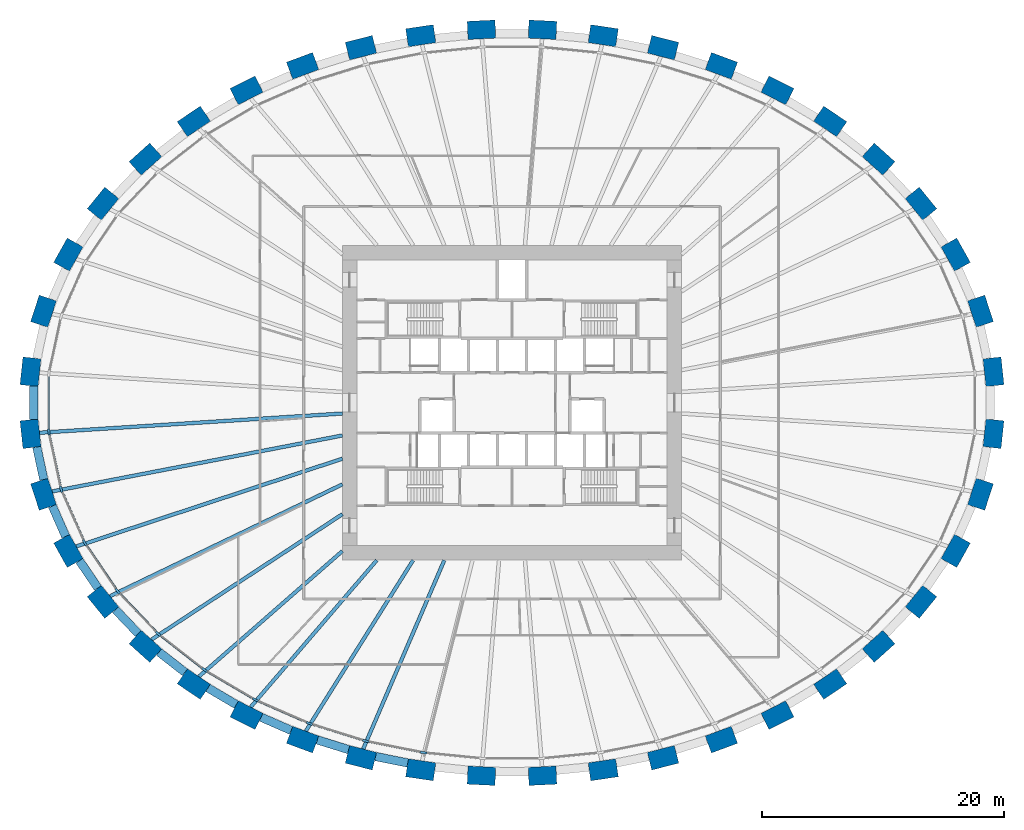
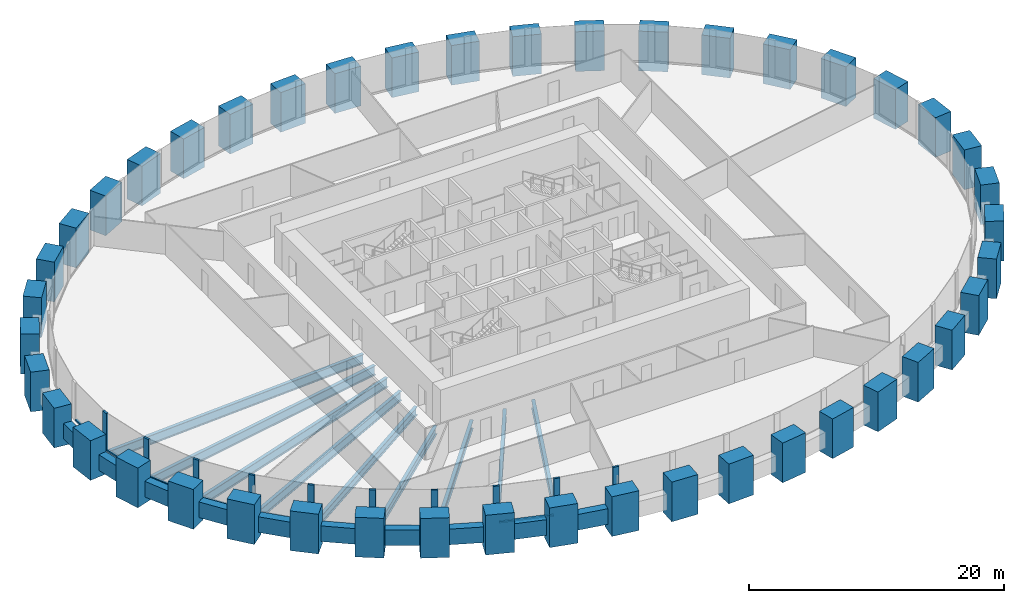
# One storey, part 1 of 10: 44 columns, 20 members, 19 beams, 1 element without a shape of its own.
"""IFC4 building model written with IfcOpenShell, lengths in metres."""

from ifc_helpers import new_model, si_unit, direction, frame, origin, origin_2d, place, context, subcontext, project, spatial, rectangle, i_section, extrude, source, transform, mapped, material, material_profile, profile_set, type_object, element, aggregate, save


model = new_model("IFC4")

# Units and contexts
model_context = context("Model", 3, precision=1e-05, world=origin(), true_north=direction((0.0, 1.0)))
body_context = subcontext(model_context, "Body", "Model", "MODEL_VIEW")
ifc_project = project(units=[si_unit("LENGTHUNIT", "METRE"), si_unit("AREAUNIT", "SQUARE_METRE"), si_unit("VOLUMEUNIT", "CUBIC_METRE"), si_unit("PLANEANGLEUNIT", "RADIAN"), si_unit("MASSUNIT", "GRAM", prefix="KILO")], contexts=[model_context])

# Site, building, storey
site_placement = place(None, origin())
site = spatial("IfcSite", under=ifc_project, at=site_placement, CompositionType="ELEMENT")
building_placement = place(site_placement, origin())
building = spatial("IfcBuilding", under=site, at=building_placement, Name="Embergate Tower", CompositionType="ELEMENT")
storey_placement = place(building_placement, frame((0.0, 0.0, 121.10009765625)))
storey = spatial("IfcBuildingStorey", under=building, at=storey_placement, Name="L26", CompositionType="ELEMENT", Elevation=121.10009765625)

# Columns
ifc_material_1 = material(Name="Concrete C70", Category="concrete")
ifc_material_profile_1 = material_profile(ifc_material_1, rectangle(XDim=1.5, YDim=2.300048828125, at=origin_2d()), Name="RC 1500x2300")
ifc_profile_set_1 = profile_set([ifc_material_profile_1], Name="Concrete C70")
column_type = type_object("IfcColumnType", Name="Ring column RC 1500x2300 C70", PredefinedType="COLUMN", material=ifc_profile_set_1)
shared_shape_1 = source(origin(), body_context, "Body", "SweptSolid", [
    extrude(rectangle(XDim=1.5, YDim=2.300048828125, at=origin_2d()), origin(), (0.0, 0.0, 1.0), 3.800048828125),
])
for number, where, z_axis, x_axis, name in (
    (1, (39.743896484375, 2.556884765625, -1.400146484375), (0.0, 0.0, 1.0), (0.99428589498, 0.106749983816, 0.0), "COL-L26-00"),
    (2, (38.6689453125, 7.553955078125, -1.400146484375), (0.0, 0.0, 1.0), (0.950754033697, 0.309946394413, 0.0), "COL-L26-01"),
    (3, (36.6201171875, 12.22607421875, -1.400146484375), (0.0, 0.0, 1.0), (0.873500465855, 0.486823311018, 0.0), "COL-L26-02"),
    (4, (33.759033203125, 16.43408203125, -1.400146484375), (0.0, 0.0, 1.0), (0.775925311702, 0.630824786022, 0.0), "COL-L26-03"),
    (5, (30.257080078125, 20.10693359375, -1.400146484375), (0.0, 0.0, 1.0), (0.669208424634, 0.74307475021, 0.0), "COL-L26-04"),
    (6, (26.264892578125, 23.222900390625, -1.400146484375), (0.0, 0.0, 1.0), (0.560393279442, 0.828226643109, 0.0), "COL-L26-05"),
    (7, (21.907958984375, 25.784912109375, -1.400146484375), (0.0, 0.0, 1.0), (0.453010512651, 0.891505174089, 0.0), "COL-L26-06"),
    (8, (17.282958984375, 27.806884765625, -1.400146484375), (0.0, 0.0, 1.0), (0.348343015724, 0.93736713373, 0.0), "COL-L26-07"),
    (9, (12.469970703125, 29.305908203125, -1.400146484375), (0.0, 0.0, 1.0), (0.24650851817, 0.969140624713, 0.0), "COL-L26-08"),
    (10, (7.530029296875, 30.297119140625, -1.400146484375), (0.0, 0.0, 1.0), (0.146929011949, 0.989147039346, 0.0), "COL-L26-09"),
    (11, (2.51806640625, 30.7900390625, -1.400146484375), (0.0, 0.0, 1.0), (0.048814904854, 0.998807841912, 0.0), "COL-L26-10"),
    (12, (-2.51806640625, 30.7900390625, -1.400146484375), (0.0, 0.0, 1.0), (-0.048814904854, 0.998807841912, 0.0), "COL-L26-11"),
    (13, (-7.530029296875, 30.297119140625, -1.400146484375), (0.0, 0.0, 1.0), (-0.146929011949, 0.989147039346, 0.0), "COL-L26-12"),
    (14, (-12.469970703125, 29.305908203125, -1.400146484375), (0.0, 0.0, 1.0), (-0.24650851817, 0.969140624713, 0.0), "COL-L26-13"),
    (15, (-17.282958984375, 27.806884765625, -1.400146484375), (0.0, 0.0, 1.0), (-0.348343015724, 0.93736713373, 0.0), "COL-L26-14"),
    (16, (-21.907958984375, 25.784912109375, -1.400146484375), (0.0, 0.0, 1.0), (-0.453010512651, 0.891505174089, 0.0), "COL-L26-15"),
    (17, (-26.264892578125, 23.222900390625, -1.400146484375), (0.0, 0.0, 1.0), (-0.560393279442, 0.828226643109, 0.0), "COL-L26-16"),
    (18, (-30.257080078125, 20.10693359375, -1.400146484375), (0.0, 0.0, 1.0), (-0.669208424634, 0.74307475021, 0.0), "COL-L26-17"),
    (19, (-33.759033203125, 16.43408203125, -1.400146484375), (0.0, 0.0, 1.0), (-0.775925311702, 0.630824786022, 0.0), "COL-L26-18"),
    (20, (-36.6201171875, 12.22607421875, -1.400146484375), (0.0, 0.0, 1.0), (-0.873500465855, 0.486823311018, 0.0), "COL-L26-19"),
    (21, (-38.6689453125, 7.553955078125, -1.400146484375), (0.0, 0.0, 1.0), (-0.950754033697, 0.309946394413, 0.0), "COL-L26-20"),
    (22, (-39.743896484375, 2.556884765625, -1.400146484375), (0.0, 0.0, 1.0), (-0.99428589498, 0.106749983816, 0.0), "COL-L26-21"),
    (23, (-39.743896484375, -2.556884765625, -1.400146484375), (0.0, 0.0, 1.0), (-0.99428589498, -0.106749983816, 0.0), "COL-L26-22"),
    (24, (-38.6689453125, -7.553955078125, -1.400146484375), (0.0, 0.0, 1.0), (-0.950754033697, -0.309946394413, 0.0), "COL-L26-23"),
    (25, (-36.6201171875, -12.22607421875, -1.400146484375), (0.0, 0.0, 1.0), (-0.873500465855, -0.486823311018, 0.0), "COL-L26-24"),
    (26, (-33.759033203125, -16.43408203125, -1.400146484375), (0.0, 0.0, 1.0), (-0.775925311702, -0.630824786022, 0.0), "COL-L26-25"),
    (27, (-30.257080078125, -20.10693359375, -1.400146484375), (0.0, 0.0, 1.0), (-0.669208424634, -0.74307475021, 0.0), "COL-L26-26"),
    (28, (-26.264892578125, -23.222900390625, -1.400146484375), (0.0, 0.0, 1.0), (-0.560393279442, -0.828226643109, 0.0), "COL-L26-27"),
    (29, (-21.907958984375, -25.784912109375, -1.400146484375), (0.0, 0.0, 1.0), (-0.453010512651, -0.891505174089, 0.0), "COL-L26-28"),
    (30, (-17.282958984375, -27.806884765625, -1.400146484375), (0.0, 0.0, 1.0), (-0.348343015724, -0.93736713373, 0.0), "COL-L26-29"),
    (31, (-12.469970703125, -29.305908203125, -1.400146484375), (0.0, 0.0, 1.0), (-0.24650851817, -0.969140624713, 0.0), "COL-L26-30"),
    (32, (-7.530029296875, -30.297119140625, -1.400146484375), (0.0, 0.0, 1.0), (-0.146929011949, -0.989147039346, 0.0), "COL-L26-31"),
    (33, (-2.51806640625, -30.7900390625, -1.400146484375), (0.0, 0.0, 1.0), (-0.048814904854, -0.998807841912, 0.0), "COL-L26-32"),
    (34, (2.51806640625, -30.7900390625, -1.400146484375), (0.0, 0.0, 1.0), (0.048814904854, -0.998807841912, 0.0), "COL-L26-33"),
    (35, (7.530029296875, -30.297119140625, -1.400146484375), (0.0, 0.0, 1.0), (0.146929011949, -0.989147039346, 0.0), "COL-L26-34"),
    (36, (12.469970703125, -29.305908203125, -1.400146484375), (0.0, 0.0, 1.0), (0.24650851817, -0.969140624713, 0.0), "COL-L26-35"),
    (37, (17.282958984375, -27.806884765625, -1.400146484375), (0.0, 0.0, 1.0), (0.348343015724, -0.93736713373, 0.0), "COL-L26-36"),
    (38, (21.907958984375, -25.784912109375, -1.400146484375), (0.0, 0.0, 1.0), (0.453010512651, -0.891505174089, 0.0), "COL-L26-37"),
    (39, (26.264892578125, -23.222900390625, -1.400146484375), (0.0, 0.0, 1.0), (0.560393279442, -0.828226643109, 0.0), "COL-L26-38"),
    (40, (30.257080078125, -20.10693359375, -1.400146484375), (0.0, 0.0, 1.0), (0.669208424634, -0.74307475021, 0.0), "COL-L26-39"),
    (41, (33.759033203125, -16.43408203125, -1.400146484375), (0.0, 0.0, 1.0), (0.775925311702, -0.630824786022, 0.0), "COL-L26-40"),
    (42, (36.6201171875, -12.22607421875, -1.400146484375), (0.0, 0.0, 1.0), (0.873500465855, -0.486823311018, 0.0), "COL-L26-41"),
    (43, (38.6689453125, -7.553955078125, -1.400146484375), (0.0, 0.0, 1.0), (0.950754033697, -0.309946394413, 0.0), "COL-L26-42"),
    (44, (39.743896484375, -2.556884765625, -1.400146484375), (0.0, 0.0, 1.0), (0.99428589498, -0.106749983816, 0.0), "COL-L26-43"),
):
    element("IfcColumn", number, at=place(storey_placement, frame(where, z_axis=z_axis, x_axis=x_axis)), inside=storey, type_object=column_type, Name=name, PredefinedType="COLUMN", context=body_context, shape_type="MappedRepresentation", body=[
        mapped(shared_shape_1, transform((0.0, 0.0, 0.0))),
    ])

# Beams
ifc_material_profile_2 = material_profile(ifc_material_1, rectangle(XDim=0.699951171875, YDim=1.5, at=origin_2d()), Name="RC 700x1500")
ifc_profile_set_2 = profile_set([ifc_material_profile_2], Name="Concrete C70")
beam_type_1 = type_object("IfcBeamType", Name="Spandrel beam RC 700x1500 C70", PredefinedType="BEAM", material=ifc_profile_set_2)
shared_shape_2 = source(origin(), body_context, "Body", "SweptSolid", [
    extrude(rectangle(XDim=0.699951171875, YDim=1.5, at=origin_2d()), origin(), (0.0, 0.0, 1.0), 2.741455078125),
])
beam_1_placement = place(storey_placement, frame((-39.22509765625, -3.657958984375, 0.0), z_axis=(0.210532507107, -0.977586857241, 0.0), x_axis=(0.977586857241, 0.210532507107, 0.0)))
element("IfcBeam", 45, at=beam_1_placement, inside=storey, type_object=beam_type_1, Name="SPN-L26-22", PredefinedType="BEAM", context=body_context, shape_type="MappedRepresentation", body=[
    mapped(shared_shape_2, transform((0.0, 0.0, 0.0))),
])
shared_shape_3 = source(origin(), body_context, "Body", "SweptSolid", [
    extrude(rectangle(XDim=0.699951171875, YDim=1.5, at=origin_2d()), origin(), (0.0, 0.0, 1.0), 2.73779296875),
])
beam_2_placement = place(storey_placement, frame((-37.94091796875, -8.52587890625, 0.0), z_axis=(0.401740219387, -0.915753676556, 0.0), x_axis=(0.915753676556, 0.401740219387, 0.0)))
element("IfcBeam", 46, at=beam_2_placement, inside=storey, type_object=beam_type_1, Name="SPN-L26-23", PredefinedType="BEAM", context=body_context, shape_type="MappedRepresentation", body=[
    mapped(shared_shape_3, transform((0.0, 0.0, 0.0))),
])
shared_shape_4 = source(origin(), body_context, "Body", "SweptSolid", [
    extrude(rectangle(XDim=0.699951171875, YDim=1.5, at=origin_2d()), origin(), (0.0, 0.0, 1.0), 2.727294921875),
])
beam_3_placement = place(storey_placement, frame((-35.7099609375, -13.035888671875, 0.0), z_axis=(0.562422644454, -0.826849907181, 0.0), x_axis=(0.826849907181, 0.562422644454, 0.0)))
element("IfcBeam", 47, at=beam_3_placement, inside=storey, type_object=beam_type_1, Name="SPN-L26-24", PredefinedType="BEAM", context=body_context, shape_type="MappedRepresentation", body=[
    mapped(shared_shape_4, transform((0.0, 0.0, 0.0))),
])
shared_shape_5 = source(origin(), body_context, "Body", "SweptSolid", [
    extrude(rectangle(XDim=0.699951171875, YDim=1.5, at=origin_2d()), origin(), (0.0, 0.0, 1.0), 2.720947265625),
])
beam_4_placement = place(storey_placement, frame((-32.73095703125, -17.0810546875, 0.0), z_axis=(0.690174788546, -0.723642702759, 0.0), x_axis=(0.723642702759, 0.690174788546, 0.0)))
element("IfcBeam", 48, at=beam_4_placement, inside=storey, type_object=beam_type_1, Name="SPN-L26-25", PredefinedType="BEAM", context=body_context, shape_type="MappedRepresentation", body=[
    mapped(shared_shape_5, transform((0.0, 0.0, 0.0))),
])
shared_shape_6 = source(origin(), body_context, "Body", "SweptSolid", [
    extrude(rectangle(XDim=0.699951171875, YDim=1.5, at=origin_2d()), origin(), (0.0, 0.0, 1.0), 2.715087890625),
])
beam_5_placement = place(storey_placement, frame((-29.135009765625, -20.5791015625, 0.0), z_axis=(0.788183854673, -0.61543985184, 0.0), x_axis=(0.61543985184, 0.788183854673, 0.0)))
element("IfcBeam", 49, at=beam_5_placement, inside=storey, type_object=beam_type_1, Name="SPN-L26-26", PredefinedType="BEAM", context=body_context, shape_type="MappedRepresentation", body=[
    mapped(shared_shape_6, transform((0.0, 0.0, 0.0))),
])
shared_shape_7 = source(origin(), body_context, "Body", "SweptSolid", [
    extrude(rectangle(XDim=0.699951171875, YDim=1.5, at=origin_2d()), origin(), (0.0, 0.0, 1.0), 2.70947265625),
])
beam_6_placement = place(storey_placement, frame((-25.093017578125, -23.54296875, 0.0), z_axis=(0.862100939268, -0.506736588884, 0.0), x_axis=(0.506736588884, 0.862100939268, 0.0)))
element("IfcBeam", 50, at=beam_6_placement, inside=storey, type_object=beam_type_1, Name="SPN-L26-27", PredefinedType="BEAM", context=body_context, shape_type="MappedRepresentation", body=[
    mapped(shared_shape_7, transform((0.0, 0.0, 0.0))),
])
shared_shape_8 = source(origin(), body_context, "Body", "SweptSolid", [
    extrude(rectangle(XDim=0.699951171875, YDim=1.5, at=origin_2d()), origin(), (0.0, 0.0, 1.0), 2.70751953125),
])
beam_7_placement = place(storey_placement, frame((-20.7080078125, -25.9619140625, 0.0), z_axis=(0.91635176707, -0.400374123774, 0.0), x_axis=(0.400374123774, 0.91635176707, 0.0)))
element("IfcBeam", 51, at=beam_7_placement, inside=storey, type_object=beam_type_1, Name="SPN-L26-28", PredefinedType="BEAM", context=body_context, shape_type="MappedRepresentation", body=[
    mapped(shared_shape_8, transform((0.0, 0.0, 0.0))),
])
shared_shape_9 = source(origin(), body_context, "Body", "SweptSolid", [
    extrude(rectangle(XDim=0.699951171875, YDim=1.5, at=origin_2d()), origin(), (0.0, 0.0, 1.0), 2.701171875),
])
for number, where, z_axis, x_axis, name in (
    (52, (-16.06494140625, -27.8310546875, 0.0), (0.954683993788, -0.297621356768, 0.0), (0.297621356768, 0.954683993788, 0.0), "SPN-L26-29"),
    (53, (-11.257080078125, -29.202880859375, 0.0), (0.980395998514, -0.197037270836, 0.0), (0.197037270836, 0.980395998514, 0.0), "SPN-L26-30"),
):
    element("IfcBeam", number, at=place(storey_placement, frame(where, z_axis=z_axis, x_axis=x_axis)), inside=storey, type_object=beam_type_1, Name=name, PredefinedType="BEAM", context=body_context, shape_type="MappedRepresentation", body=[
        mapped(shared_shape_9, transform((0.0, 0.0, 0.0))),
    ])
shared_shape_10 = source(origin(), body_context, "Body", "SweptSolid", [
    extrude(rectangle(XDim=0.699951171875, YDim=1.5, at=origin_2d()), origin(), (0.0, 0.0, 1.0), 2.7421875),
])
beam_8_placement = place(storey_placement, frame((-39.468017578125, 1.37109375, 0.0), z_axis=(0.0, -1.0, 0.0), x_axis=(1.0, 0.0, 0.0)))
element("IfcBeam", 54, at=beam_8_placement, inside=storey, type_object=beam_type_1, Name="SPN-L26-21", PredefinedType="BEAM", context=body_context, shape_type="MappedRepresentation", body=[
    mapped(shared_shape_10, transform((0.0, 0.0, 0.0))),
])
ifc_material_2 = material(Name="Steel Q355B", Category="steel")
ifc_material_profile_3 = material_profile(ifc_material_2, i_section(OverallWidth=0.300048828125, OverallDepth=0.89990234375, WebThickness=0.01611328125, FlangeThickness=0.028076171875, FilletRadius=0.028076171875, at=origin_2d()), Name="HN 900x300x16x28")
ifc_profile_set_3 = profile_set([ifc_material_profile_3], Name="Steel Q355 grade B")
beam_type_2 = type_object("IfcBeamType", Name="Radial girder HN 900x300x16x28", PredefinedType="BEAM", material=ifc_profile_set_3)
shared_shape_11 = source(origin(), body_context, "Body", "SweptSolid", [
    extrude(i_section(OverallWidth=0.300048828125, OverallDepth=0.89990234375, WebThickness=0.01611328125, FlangeThickness=0.028076171875, FilletRadius=0.028076171875, at=origin_2d()), origin(), (0.0, 0.0, 1.0), 25.04833984375),
])
beam_9_placement = place(storey_placement, frame((-38.998046875, -2.47705078125, -0.650146484375), z_axis=(0.997988035397, 0.063402533111, 0.0), x_axis=(-0.063402533111, 0.997988035397, 0.0)))
element("IfcBeam", 55, at=beam_9_placement, inside=storey, type_object=beam_type_2, Name="GIR-L26-22", PredefinedType="BEAM", context=body_context, shape_type="MappedRepresentation", body=[
    mapped(shared_shape_11, transform((0.0, 0.0, 0.0))),
])
shared_shape_12 = source(origin(), body_context, "Body", "SweptSolid", [
    extrude(i_section(OverallWidth=0.300048828125, OverallDepth=0.89990234375, WebThickness=0.01611328125, FlangeThickness=0.028076171875, FilletRadius=0.028076171875, at=origin_2d()), origin(), (0.0, 0.0, 1.0), 24.397705078125),
])
beam_10_placement = place(storey_placement, frame((-37.9560546875, -7.322021484375, -0.650146484375), z_axis=(0.981898654656, 0.18940705368, 0.0), x_axis=(-0.18940705368, 0.981898654656, 0.0)))
element("IfcBeam", 56, at=beam_10_placement, inside=storey, type_object=beam_type_2, Name="GIR-L26-23", PredefinedType="BEAM", context=body_context, shape_type="MappedRepresentation", body=[
    mapped(shared_shape_12, transform((0.0, 0.0, 0.0))),
])
shared_shape_13 = source(origin(), body_context, "Body", "SweptSolid", [
    extrude(i_section(OverallWidth=0.300048828125, OverallDepth=0.89990234375, WebThickness=0.01611328125, FlangeThickness=0.028076171875, FilletRadius=0.028076171875, at=origin_2d()), origin(), (0.0, 0.0, 1.0), 23.12890625),
])
beam_11_placement = place(storey_placement, frame((-35.965087890625, -11.861083984375, -0.650146484375), z_axis=(0.949684454756, 0.313208295541, 0.0), x_axis=(-0.313208295541, 0.949684454756, 0.0)))
element("IfcBeam", 57, at=beam_11_placement, inside=storey, type_object=beam_type_2, Name="GIR-L26-24", PredefinedType="BEAM", context=body_context, shape_type="MappedRepresentation", body=[
    mapped(shared_shape_13, transform((0.0, 0.0, 0.0))),
])
shared_shape_14 = source(origin(), body_context, "Body", "SweptSolid", [
    extrude(i_section(OverallWidth=0.300048828125, OverallDepth=0.89990234375, WebThickness=0.01611328125, FlangeThickness=0.028076171875, FilletRadius=0.028076171875, at=origin_2d()), origin(), (0.0, 0.0, 1.0), 21.28076171875),
])
beam_12_placement = place(storey_placement, frame((-33.177001953125, -15.9609375, -0.650146484375), z_axis=(0.901140134985, 0.433527919654, 0.0), x_axis=(-0.433527919654, 0.901140134985, 0.0)))
element("IfcBeam", 58, at=beam_12_placement, inside=storey, type_object=beam_type_2, Name="GIR-L26-25", PredefinedType="BEAM", context=body_context, shape_type="MappedRepresentation", body=[
    mapped(shared_shape_14, transform((0.0, 0.0, 0.0))),
])
ifc_material_profile_4 = material_profile(ifc_material_2, i_section(OverallWidth=0.300048828125, OverallDepth=0.800048828125, WebThickness=0.013916015625, FlangeThickness=0.02587890625, FilletRadius=0.028076171875, at=origin_2d()), Name="HN 800x300x14x26")
ifc_profile_set_4 = profile_set([ifc_material_profile_4], Name="Steel Q355 grade B")
beam_type_3 = type_object("IfcBeamType", Name="Radial girder HN 800x300x14x26", PredefinedType="BEAM", material=ifc_profile_set_4)
shared_shape_15 = source(origin(), body_context, "Body", "SweptSolid", [
    extrude(i_section(OverallWidth=0.300048828125, OverallDepth=0.800048828125, WebThickness=0.013916015625, FlangeThickness=0.02587890625, FilletRadius=0.028076171875, at=origin_2d()), origin(), (0.0, 0.0, 1.0), 18.8515625),
])
beam_13_placement = place(storey_placement, frame((-29.7548828125, -19.550048828125, -0.60009765625), z_axis=(0.835733668862, 0.549134987713, 0.0), x_axis=(-0.549134987713, 0.835733668862, 0.0)))
element("IfcBeam", 59, at=beam_13_placement, inside=storey, type_object=beam_type_3, Name="GIR-L26-26", PredefinedType="BEAM", context=body_context, shape_type="MappedRepresentation", body=[
    mapped(shared_shape_15, transform((0.0, 0.0, 0.0))),
])
shared_shape_16 = source(origin(), body_context, "Body", "SweptSolid", [
    extrude(i_section(OverallWidth=0.300048828125, OverallDepth=0.800048828125, WebThickness=0.013916015625, FlangeThickness=0.02587890625, FilletRadius=0.028076171875, at=origin_2d()), origin(), (0.0, 0.0, 1.0), 15.73583984375),
])
beam_14_placement = place(storey_placement, frame((-25.844970703125, -22.60205078125, -0.60009765625), z_axis=(0.752741020376, 0.658316759807, 0.0), x_axis=(-0.658316759807, 0.752741020376, 0.0)))
element("IfcBeam", 60, at=beam_14_placement, inside=storey, type_object=beam_type_3, Name="GIR-L26-27", PredefinedType="BEAM", context=body_context, shape_type="MappedRepresentation", body=[
    mapped(shared_shape_16, transform((0.0, 0.0, 0.0))),
])
shared_shape_17 = source(origin(), body_context, "Body", "SweptSolid", [
    extrude(i_section(OverallWidth=0.300048828125, OverallDepth=0.800048828125, WebThickness=0.013916015625, FlangeThickness=0.02587890625, FilletRadius=0.028076171875, at=origin_2d()), origin(), (0.0, 0.0, 1.0), 15.969970703125),
])
beam_15_placement = place(storey_placement, frame((-21.568115234375, -25.115966796875, -0.60009765625), z_axis=(0.651474728506, 0.758670335599, 0.0), x_axis=(-0.758670335599, 0.651474728506, 0.0)))
element("IfcBeam", 61, at=beam_15_placement, inside=storey, type_object=beam_type_3, Name="GIR-L26-28", PredefinedType="BEAM", context=body_context, shape_type="MappedRepresentation", body=[
    mapped(shared_shape_17, transform((0.0, 0.0, 0.0))),
])
shared_shape_18 = source(origin(), body_context, "Body", "SweptSolid", [
    extrude(i_section(OverallWidth=0.300048828125, OverallDepth=0.800048828125, WebThickness=0.013916015625, FlangeThickness=0.02587890625, FilletRadius=0.028076171875, at=origin_2d()), origin(), (0.0, 0.0, 1.0), 16.65478515625),
])
beam_16_placement = place(storey_placement, frame((-17.02197265625, -27.10400390625, -0.60009765625), z_axis=(0.531850282952, 0.846838400478, 0.0), x_axis=(-0.846838400478, 0.531850282952, 0.0)))
element("IfcBeam", 62, at=beam_16_placement, inside=storey, type_object=beam_type_3, Name="GIR-L26-29", PredefinedType="BEAM", context=body_context, shape_type="MappedRepresentation", body=[
    mapped(shared_shape_18, transform((0.0, 0.0, 0.0))),
])
shared_shape_19 = source(origin(), body_context, "Body", "SweptSolid", [
    extrude(i_section(OverallWidth=0.300048828125, OverallDepth=0.800048828125, WebThickness=0.013916015625, FlangeThickness=0.02587890625, FilletRadius=0.028076171875, at=origin_2d()), origin(), (0.0, 0.0, 1.0), 16.95751953125),
])
beam_17_placement = place(storey_placement, frame((-12.284912109375, -28.5791015625, -0.60009765625), z_axis=(0.394928600028, 0.918711816012, 0.0), x_axis=(-0.918711816012, 0.394928600028, 0.0)))
element("IfcBeam", 63, at=beam_17_placement, inside=storey, type_object=beam_type_3, Name="GIR-L26-30", PredefinedType="BEAM", context=body_context, shape_type="MappedRepresentation", body=[
    mapped(shared_shape_19, transform((0.0, 0.0, 0.0))),
])

# Curtain wall, members
ifc_material_3 = material(Name="Aluminium and glass", Category="aluminium")
curtain_wall_type = type_object("IfcCurtainWallType", Name="Recessed office glazing", PredefinedType="NOTDEFINED", material=ifc_material_3)
curtain_wall_placement = place(storey_placement, origin())
curtain_wall = element("IfcCurtainWall", 64, at=curtain_wall_placement, inside=storey, type_object=curtain_wall_type, Name="Recessed office glazing ring", ObjectType="RECESSED OFFICE GLAZING", PredefinedType="USERDEFINED")
ifc_material_4 = material(Name="Aluminium, thermally broken", Category="aluminium")
ifc_material_profile_5 = material_profile(ifc_material_4, rectangle(XDim=0.179931640625, YDim=0.52001953125, at=origin_2d()), Name="AL 520x180")
ifc_profile_set_5 = profile_set([ifc_material_profile_5], Name="Aluminium, thermally broken")
member_type_1 = type_object("IfcMemberType", Name="Office mullion", PredefinedType="MULLION", material=ifc_profile_set_5)
shared_shape_20 = source(origin(), body_context, "Body", "SweptSolid", [
    extrude(rectangle(XDim=0.179931640625, YDim=0.52001953125, at=origin_2d()), origin(), (0.0, 0.0, 1.0), 3.599853515625),
])
member_1_placement = place(storey_placement, frame((-38.228759765625, -2.41162109375, 0.0), z_axis=(0.0, 0.0, 1.0), x_axis=(0.994385139431, 0.105821521816, 0.0)))
member_1 = element("IfcMember", 65, at=member_1_placement, type_object=member_type_1, Name="CW mullion 23", PredefinedType="MULLION", context=body_context, shape_type="MappedRepresentation", body=[
    mapped(shared_shape_20, transform((0.0, 0.0, 0.0))),
])
member_2_placement = place(storey_placement, frame((-37.21337890625, -7.129150390625, 0.0), z_axis=(0.0, 0.0, 1.0), x_axis=(0.951498871907, 0.307652233471, 0.0)))
member_2 = element("IfcMember", 66, at=member_2_placement, type_object=member_type_1, Name="CW mullion 24", PredefinedType="MULLION", context=body_context, shape_type="MappedRepresentation", body=[
    mapped(shared_shape_20, transform((0.0, 0.0, 0.0))),
])
member_3_placement = place(storey_placement, frame((-35.2724609375, -11.5546875, 0.0), z_axis=(0.0, 0.0, 1.0), x_axis=(0.875003585723, 0.484116437412, 0.0)))
member_3 = element("IfcMember", 67, at=member_3_placement, type_object=member_type_1, Name="CW mullion 25", PredefinedType="MULLION", context=body_context, shape_type="MappedRepresentation", body=[
    mapped(shared_shape_20, transform((0.0, 0.0, 0.0))),
])
member_4_placement = place(storey_placement, frame((-32.5498046875, -15.558349609375, 0.0), z_axis=(0.0, 0.0, 1.0), x_axis=(0.777874757957, 0.628419335264, 0.0)))
member_4 = element("IfcMember", 68, at=member_4_placement, type_object=member_type_1, Name="CW mullion 26", PredefinedType="MULLION", context=body_context, shape_type="MappedRepresentation", body=[
    mapped(shared_shape_20, transform((0.0, 0.0, 0.0))),
])
member_5_placement = place(storey_placement, frame((-29.202392578125, -19.068359375, 0.0), z_axis=(0.0, 0.0, 1.0), x_axis=(0.671227827685, 0.741251106806, 0.0)))
member_5 = element("IfcMember", 69, at=member_5_placement, type_object=member_type_1, Name="CW mullion 27", PredefinedType="MULLION", context=body_context, shape_type="MappedRepresentation", body=[
    mapped(shared_shape_20, transform((0.0, 0.0, 0.0))),
])
member_6_placement = place(storey_placement, frame((-25.373046875, -22.05712890625, 0.0), z_axis=(0.0, 0.0, 1.0), x_axis=(0.562217618544, 0.826989328467, 0.0)))
member_6 = element("IfcMember", 70, at=member_6_placement, type_object=member_type_1, Name="CW mullion 28", PredefinedType="MULLION", context=body_context, shape_type="MappedRepresentation", body=[
    mapped(shared_shape_20, transform((0.0, 0.0, 0.0))),
])
member_7_placement = place(storey_placement, frame((-21.18017578125, -24.522216796875, 0.0), z_axis=(0.0, 0.0, 1.0), x_axis=(0.454511380526, 0.890740930334, 0.0)))
member_7 = element("IfcMember", 71, at=member_7_placement, type_object=member_type_1, Name="CW mullion 29", PredefinedType="MULLION", context=body_context, shape_type="MappedRepresentation", body=[
    mapped(shared_shape_20, transform((0.0, 0.0, 0.0))),
])
member_8_placement = place(storey_placement, frame((-16.719482421875, -26.47265625, 0.0), z_axis=(0.0, 0.0, 1.0), x_axis=(0.349502682851, 0.936935363128, 0.0)))
member_8 = element("IfcMember", 72, at=member_8_placement, type_object=member_type_1, Name="CW mullion 30", PredefinedType="MULLION", context=body_context, shape_type="MappedRepresentation", body=[
    mapped(shared_shape_20, transform((0.0, 0.0, 0.0))),
])
member_9_placement = place(storey_placement, frame((-12.068359375, -27.921142578125, 0.0), z_axis=(0.0, 0.0, 1.0), x_axis=(0.24731188137, 0.968935928394, 0.0)))
member_9 = element("IfcMember", 73, at=member_9_placement, type_object=member_type_1, Name="CW mullion 31", PredefinedType="MULLION", context=body_context, shape_type="MappedRepresentation", body=[
    mapped(shared_shape_20, transform((0.0, 0.0, 0.0))),
])
member_10_placement = place(storey_placement, frame((-7.28955078125, -28.879638671875, 0.0), z_axis=(0.0, 0.0, 1.0), x_axis=(0.147412382818, 0.989075118174, 0.0)))
member_10 = element("IfcMember", 74, at=member_10_placement, type_object=member_type_1, Name="CW mullion 32", PredefinedType="MULLION", context=body_context, shape_type="MappedRepresentation", body=[
    mapped(shared_shape_20, transform((0.0, 0.0, 0.0))),
])
ifc_material_profile_6 = material_profile(ifc_material_4, rectangle(XDim=0.179931640625, YDim=0.14990234375, at=origin_2d()), Name="AL 150x180")
ifc_profile_set_6 = profile_set([ifc_material_profile_6], Name="Aluminium, thermally broken")
member_type_2 = type_object("IfcMemberType", Name="Office sill transom", PredefinedType="USERDEFINED", material=ifc_profile_set_6)
shared_shape_21 = source(origin(), body_context, "Body", "SweptSolid", [
    extrude(rectangle(XDim=0.179931640625, YDim=0.14990234375, at=origin_2d()), origin(), (0.0, 0.0, 1.0), 4.305908203125),
])
member_11_placement = place(storey_placement, frame((-38.174072265625, -2.66552734375, 0.074951171875), z_axis=(0.210357665869, -0.977624494584, 0.0), x_axis=(0.977624494584, 0.210357665869, 0.0)))
member_11 = element("IfcMember", 75, at=member_11_placement, type_object=member_type_2, Name="CW transom 23.1", ObjectType="TRANSOM", PredefinedType="USERDEFINED", context=body_context, shape_type="MappedRepresentation", body=[
    mapped(shared_shape_21, transform((0.0, 0.0, 0.0))),
])
shared_shape_22 = source(origin(), body_context, "Body", "SweptSolid", [
    extrude(rectangle(XDim=0.179931640625, YDim=0.14990234375, at=origin_2d()), origin(), (0.0, 0.0, 1.0), 4.3125),
])
member_12_placement = place(storey_placement, frame((-37.10888671875, -7.3671875, 0.074951171875), z_axis=(0.40160568605, -0.915812684413, 0.0), x_axis=(0.915812684413, 0.40160568605, 0.0)))
member_12 = element("IfcMember", 76, at=member_12_placement, type_object=member_type_2, Name="CW transom 24.1", ObjectType="TRANSOM", PredefinedType="USERDEFINED", context=body_context, shape_type="MappedRepresentation", body=[
    mapped(shared_shape_22, transform((0.0, 0.0, 0.0))),
])
shared_shape_23 = source(origin(), body_context, "Body", "SweptSolid", [
    extrude(rectangle(XDim=0.179931640625, YDim=0.14990234375, at=origin_2d()), origin(), (0.0, 0.0, 1.0), 4.321533203125),
])
member_13_placement = place(storey_placement, frame((-35.126220703125, -11.769775390625, 0.074951171875), z_axis=(0.562342471098, -0.826904435349, 0.0), x_axis=(0.826904435349, 0.562342471098, 0.0)))
member_13 = element("IfcMember", 77, at=member_13_placement, type_object=member_type_2, Name="CW transom 25.1", ObjectType="TRANSOM", PredefinedType="USERDEFINED", context=body_context, shape_type="MappedRepresentation", body=[
    mapped(shared_shape_23, transform((0.0, 0.0, 0.0))),
])
shared_shape_24 = source(origin(), body_context, "Body", "SweptSolid", [
    extrude(rectangle(XDim=0.179931640625, YDim=0.14990234375, at=origin_2d()), origin(), (0.0, 0.0, 1.0), 4.330322265625),
])
member_14_placement = place(storey_placement, frame((-32.370361328125, -15.746337890625, 0.074951171875), z_axis=(0.690135080162, -0.72368057258, 0.0), x_axis=(0.72368057258, 0.690135080162, 0.0)))
member_14 = element("IfcMember", 78, at=member_14_placement, type_object=member_type_2, Name="CW transom 26.1", ObjectType="TRANSOM", PredefinedType="USERDEFINED", context=body_context, shape_type="MappedRepresentation", body=[
    mapped(shared_shape_24, transform((0.0, 0.0, 0.0))),
])
shared_shape_25 = source(origin(), body_context, "Body", "SweptSolid", [
    extrude(rectangle(XDim=0.179931640625, YDim=0.14990234375, at=origin_2d()), origin(), (0.0, 0.0, 1.0), 4.337890625),
])
member_15_placement = place(storey_placement, frame((-28.99755859375, -19.228271484375, 0.074951171875), z_axis=(0.788323772989, -0.615260618714, 0.0), x_axis=(0.615260618714, 0.788323772989, 0.0)))
member_15 = element("IfcMember", 79, at=member_15_placement, type_object=member_type_2, Name="CW transom 27.1", ObjectType="TRANSOM", PredefinedType="USERDEFINED", context=body_context, shape_type="MappedRepresentation", body=[
    mapped(shared_shape_25, transform((0.0, 0.0, 0.0))),
])
shared_shape_26 = source(origin(), body_context, "Body", "SweptSolid", [
    extrude(rectangle(XDim=0.179931640625, YDim=0.14990234375, at=origin_2d()), origin(), (0.0, 0.0, 1.0), 4.34375),
])
member_16_placement = place(storey_placement, frame((-25.14892578125, -22.18896484375, 0.074951171875), z_axis=(0.8620656673, -0.506796591605, 0.0), x_axis=(0.506796591605, 0.8620656673, 0.0)))
member_16 = element("IfcMember", 80, at=member_16_placement, type_object=member_type_2, Name="CW transom 28.1", ObjectType="TRANSOM", PredefinedType="USERDEFINED", context=body_context, shape_type="MappedRepresentation", body=[
    mapped(shared_shape_26, transform((0.0, 0.0, 0.0))),
])
shared_shape_27 = source(origin(), body_context, "Body", "SweptSolid", [
    extrude(rectangle(XDim=0.179931640625, YDim=0.14990234375, at=origin_2d()), origin(), (0.0, 0.0, 1.0), 4.348388671875),
])
member_17_placement = place(storey_placement, frame((-20.94189453125, -24.626220703125, 0.074951171875), z_axis=(0.916230768266, -0.400650944442, 0.0), x_axis=(0.400650944442, 0.916230768266, 0.0)))
member_17 = element("IfcMember", 81, at=member_17_placement, type_object=member_type_2, Name="CW transom 29.1", ObjectType="TRANSOM", PredefinedType="USERDEFINED", context=body_context, shape_type="MappedRepresentation", body=[
    mapped(shared_shape_27, transform((0.0, 0.0, 0.0))),
])
shared_shape_28 = source(origin(), body_context, "Body", "SweptSolid", [
    extrude(rectangle(XDim=0.179931640625, YDim=0.14990234375, at=origin_2d()), origin(), (0.0, 0.0, 1.0), 4.351806640625),
])
member_18_placement = place(storey_placement, frame((-16.471435546875, -26.5498046875, 0.074951171875), z_axis=(0.954758063246, -0.297383659044, 0.0), x_axis=(0.297383659044, 0.954758063246, 0.0)))
member_18 = element("IfcMember", 82, at=member_18_placement, type_object=member_type_2, Name="CW transom 30.1", ObjectType="TRANSOM", PredefinedType="USERDEFINED", context=body_context, shape_type="MappedRepresentation", body=[
    mapped(shared_shape_28, transform((0.0, 0.0, 0.0))),
])
shared_shape_29 = source(origin(), body_context, "Body", "SweptSolid", [
    extrude(rectangle(XDim=0.179931640625, YDim=0.14990234375, at=origin_2d()), origin(), (0.0, 0.0, 1.0), 4.353759765625),
])
member_19_placement = place(storey_placement, frame((-11.813232421875, -27.972412109375, 0.074951171875), z_axis=(0.98048350153, -0.196601381548, 0.0), x_axis=(0.196601381548, 0.98048350153, 0.0)))
member_19 = element("IfcMember", 83, at=member_19_placement, type_object=member_type_2, Name="CW transom 31.1", ObjectType="TRANSOM", PredefinedType="USERDEFINED", context=body_context, shape_type="MappedRepresentation", body=[
    mapped(shared_shape_29, transform((0.0, 0.0, 0.0))),
])
shared_shape_30 = source(origin(), body_context, "Body", "SweptSolid", [
    extrude(rectangle(XDim=0.179931640625, YDim=0.14990234375, at=origin_2d()), origin(), (0.0, 0.0, 1.0), 4.30322265625),
])
member_20_placement = place(storey_placement, frame((-38.228759765625, 2.151611328125, 0.074951171875), z_axis=(0.0, -1.0, 0.0), x_axis=(1.0, 0.0, 0.0)))
member_20 = element("IfcMember", 84, at=member_20_placement, type_object=member_type_2, Name="CW transom 22.1", ObjectType="TRANSOM", PredefinedType="USERDEFINED", context=body_context, shape_type="MappedRepresentation", body=[
    mapped(shared_shape_30, transform((0.0, 0.0, 0.0))),
])
aggregate(curtain_wall, [member_1, member_2, member_3, member_4, member_5, member_6, member_7, member_8, member_9, member_10, member_20, member_11, member_12, member_13, member_14, member_15, member_16, member_17, member_18, member_19])

save(model, "model.ifc")
